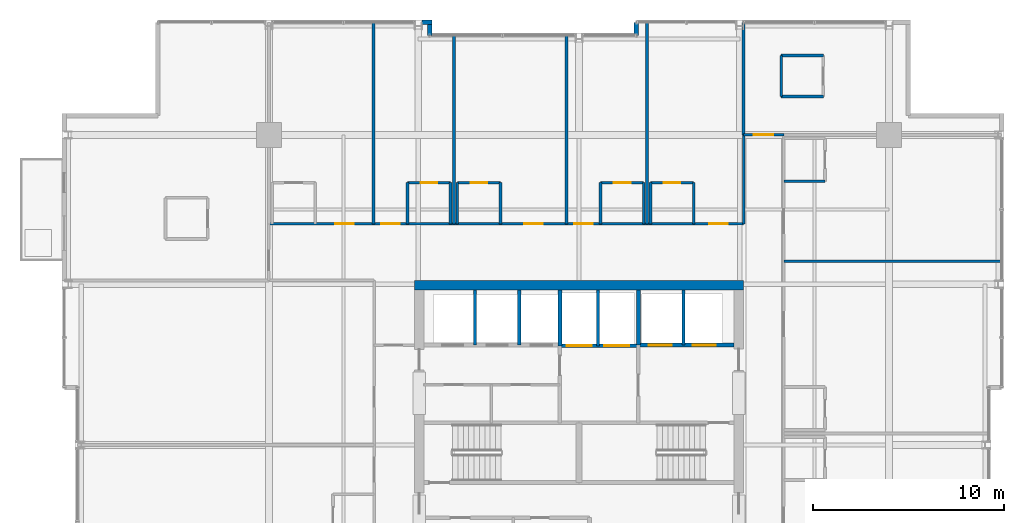
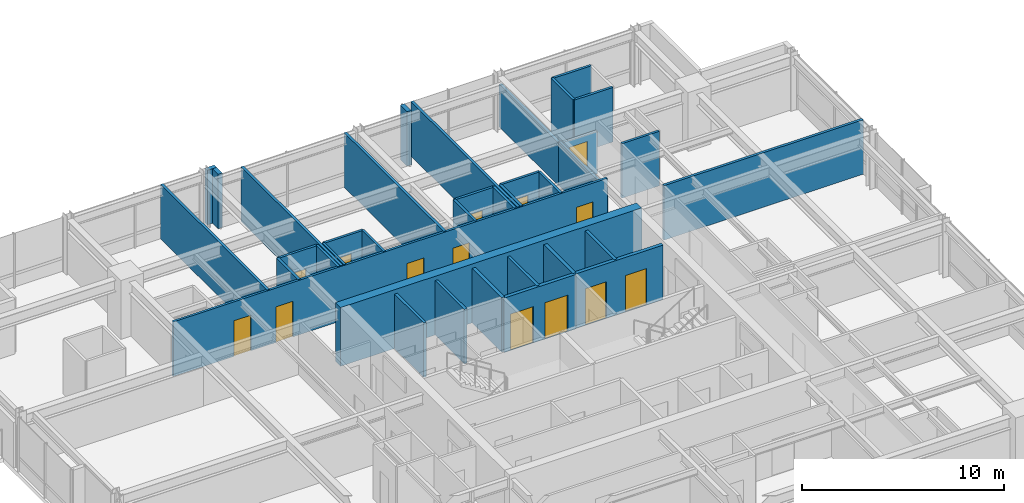
# One storey, part 28 of 31: 37 walls, 14 doors, 14 openings.
"""IFC4 building model written with IfcOpenShell, lengths in metres."""

from ifc_helpers import new_model, si_unit, direction, frame, frame_2d, origin, place, context, subcontext, project, spatial, rectangle, extrude, material, layer, layer_set, type_object, element, fill, save


model = new_model("IFC4")

# Units and contexts
model_context = context("Model", 3, precision=1e-05, world=origin(), true_north=direction((0.0, 1.0)))
body_context = subcontext(model_context, "Body", "Model", "MODEL_VIEW")
ifc_project = project(units=[si_unit("LENGTHUNIT", "METRE"), si_unit("AREAUNIT", "SQUARE_METRE"), si_unit("VOLUMEUNIT", "CUBIC_METRE"), si_unit("PLANEANGLEUNIT", "RADIAN"), si_unit("MASSUNIT", "GRAM", prefix="KILO")], contexts=[model_context])

# Site, building, storey
site_placement = place(None, origin())
site = spatial("IfcSite", under=ifc_project, at=site_placement, CompositionType="ELEMENT")
building_placement = place(site_placement, origin())
building = spatial("IfcBuilding", under=site, at=building_placement, Name="Drelvath Grand Hotel", CompositionType="ELEMENT")
storey_placement = place(building_placement, frame((0.0, 0.0, 185.89990234375)))
storey = spatial("IfcBuildingStorey", under=building, at=storey_placement, Name="L48", CompositionType="ELEMENT", Elevation=185.89990234375)

# Wall, openings, doors
ifc_material_1 = material(Name="Concrete C40/50", Category="concrete")
ifc_layer_1 = layer(ifc_material_1, 0.199951171875)
ifc_layer_set_1 = layer_set([ifc_layer_1], Name="Concrete C40/50")
wall_type_1 = type_object("IfcWallType", Name="Core Hoistway Fire Wall 200", PredefinedType="SOLIDWALL", material=ifc_layer_set_1)
wall_1_placement = place(storey_placement, frame((3.10009765625, 32.219970703125, 0.0), z_axis=(0.0, 0.0, 1.0), x_axis=(1.0, 0.0, 0.0)))
wall_1 = element("IfcWall", 1, at=wall_1_placement, inside=storey, type_object=wall_type_1, Name="L48 FSAE Hoistway Front Wall", PredefinedType="SOLIDWALL", context=body_context, shape_type="SweptSolid", body=[
    extrude(rectangle(XDim=5.0, YDim=0.199951171875, at=frame_2d((2.5, 0.0))), origin(), (0.0, 0.0, 1.0), 3.2900390625),
])
opening_1_placement = place(wall_1_placement, frame((0.550048828125, 0.0, 0.0)))
opening_1 = element("IfcOpeningElement", 2, at=opening_1_placement, cuts=wall_1, Name="Opening LD-FSAE-1", PredefinedType="OPENING", context=body_context, shape_type="SweptSolid", body=[
    extrude(rectangle(XDim=1.199951171875, YDim=2.199951171875, at=frame_2d((0.60009765625, 1.10009765625))), frame((0.0, 0.10986328125, 0.0), z_axis=(0.0, -1.0, 0.0), x_axis=(1.0, 0.0, 0.0)), (0.0, 0.0, 1.0), 0.219970703125),
])
opening_2_placement = place(wall_1_placement, frame((2.85009765625, 0.0, 0.0)))
opening_2 = element("IfcOpeningElement", 3, at=opening_2_placement, cuts=wall_1, Name="Opening LD-FSAE-2", PredefinedType="OPENING", context=body_context, shape_type="SweptSolid", body=[
    extrude(rectangle(XDim=1.199951171875, YDim=2.199951171875, at=frame_2d((0.60009765625, 1.10009765625))), frame((0.0, 0.10986328125, 0.0), z_axis=(0.0, -1.0, 0.0), x_axis=(1.0, 0.0, 0.0)), (0.0, 0.0, 1.0), 0.219970703125),
])
ifc_material_2 = material(Name="Stainless Steel S355", Category="steel")
door_type_1 = type_object("IfcDoorType", Name="FSAE Lift Sliding Landing Door 1200x2200", OperationType="NOTDEFINED", PredefinedType="DOOR", material=ifc_material_2)
door_1_placement = place(opening_1_placement, origin())
door_1 = element("IfcDoor", 4, at=door_1_placement, inside=storey, type_object=door_type_1, Name="L48 Lift FSAE-1 Landing Door", OperationType="SLIDING_TO_LEFT", OverallHeight=2.199951171875, OverallWidth=1.199951171875, PredefinedType="DOOR", context=body_context, shape_type="SweptSolid", body=[
    extrude(rectangle(XDim=1.199951171875, YDim=2.199951171875, at=frame_2d((0.60009765625, 1.10009765625))), frame((0.0, 0.02490234375, 0.0), z_axis=(0.0, -1.0, 0.0), x_axis=(1.0, 0.0, 0.0)), (0.0, 0.0, 1.0), 0.050048828125),
])
fill(opening_1, door_1)
door_2_placement = place(opening_2_placement, origin())
door_2 = element("IfcDoor", 5, at=door_2_placement, inside=storey, type_object=door_type_1, Name="L48 Lift FSAE-2 Landing Door", OperationType="SLIDING_TO_LEFT", OverallHeight=2.199951171875, OverallWidth=1.199951171875, PredefinedType="DOOR", context=body_context, shape_type="SweptSolid", body=[
    extrude(rectangle(XDim=1.199951171875, YDim=2.199951171875, at=frame_2d((0.60009765625, 1.10009765625))), frame((0.0, 0.02490234375, 0.0), z_axis=(0.0, -1.0, 0.0), x_axis=(1.0, 0.0, 0.0)), (0.0, 0.0, 1.0), 0.050048828125),
])
fill(opening_2, door_2)

# Wall
wall_2_placement = place(storey_placement, frame((3.10009765625, 32.219970703125, 0.0), z_axis=(0.0, 0.0, 1.0), x_axis=(0.0, 1.0, 0.0)))
element("IfcWall", 6, at=wall_2_placement, inside=storey, type_object=wall_type_1, Name="L48 FSAE Hoistway West Wall", PredefinedType="SOLIDWALL", context=body_context, shape_type="SweptSolid", body=[
    extrude(rectangle(XDim=2.880126953125, YDim=0.199951171875, at=frame_2d((1.43994140625, 0.0))), origin(), (0.0, 0.0, 1.0), 3.2900390625),
])

# Wall, openings, doors
wall_3_placement = place(storey_placement, frame((-1.0, 32.179931640625, 0.0), z_axis=(0.0, 0.0, 1.0), x_axis=(1.0, 0.0, 0.0)))
wall_3 = element("IfcWall", 7, at=wall_3_placement, inside=storey, type_object=wall_type_1, Name="L48 Service Lift Hoistway Wall", PredefinedType="SOLIDWALL", context=body_context, shape_type="SweptSolid", body=[
    extrude(rectangle(XDim=4.10009765625, YDim=0.199951171875, at=frame_2d((2.050048828125, 0.0))), origin(), (0.0, 0.0, 1.0), 3.2900390625),
])
opening_3_placement = place(wall_3_placement, frame((0.3701171875, 0.0, 0.0)))
opening_3 = element("IfcOpeningElement", 8, at=opening_3_placement, cuts=wall_3, Name="Opening LD-SV-2", PredefinedType="OPENING", context=body_context, shape_type="SweptSolid", body=[
    extrude(rectangle(XDim=1.300048828125, YDim=2.199951171875, at=frame_2d((0.64990234375, 1.10009765625))), frame((0.0, 0.10986328125, 0.0), z_axis=(0.0, -1.0, 0.0), x_axis=(1.0, 0.0, 0.0)), (0.0, 0.0, 1.0), 0.219970703125),
])
opening_4_placement = place(wall_3_placement, frame((2.330078125, 0.0, 0.0)))
opening_4 = element("IfcOpeningElement", 9, at=opening_4_placement, cuts=wall_3, Name="Opening LD-SV-1", PredefinedType="OPENING", context=body_context, shape_type="SweptSolid", body=[
    extrude(rectangle(XDim=1.300048828125, YDim=2.199951171875, at=frame_2d((0.64990234375, 1.10009765625))), frame((0.0, 0.10986328125, 0.0), z_axis=(0.0, -1.0, 0.0), x_axis=(1.0, 0.0, 0.0)), (0.0, 0.0, 1.0), 0.219970703125),
])
door_type_2 = type_object("IfcDoorType", Name="Service Lift Sliding Landing Door 1300x2200", OperationType="NOTDEFINED", PredefinedType="DOOR", material=ifc_material_2)
door_3_placement = place(opening_3_placement, origin())
door_3 = element("IfcDoor", 10, at=door_3_placement, inside=storey, type_object=door_type_2, Name="L48 Lift SV-2 Landing Door", OperationType="SLIDING_TO_LEFT", OverallHeight=2.199951171875, OverallWidth=1.300048828125, PredefinedType="DOOR", context=body_context, shape_type="SweptSolid", body=[
    extrude(rectangle(XDim=1.300048828125, YDim=2.199951171875, at=frame_2d((0.64990234375, 1.10009765625))), frame((0.0, 0.02490234375, 0.0), z_axis=(0.0, -1.0, 0.0), x_axis=(1.0, 0.0, 0.0)), (0.0, 0.0, 1.0), 0.050048828125),
])
fill(opening_3, door_3)
door_4_placement = place(opening_4_placement, origin())
door_4 = element("IfcDoor", 11, at=door_4_placement, inside=storey, type_object=door_type_2, Name="L48 Lift SV-1 Landing Door", OperationType="SLIDING_TO_LEFT", OverallHeight=2.199951171875, OverallWidth=1.300048828125, PredefinedType="DOOR", context=body_context, shape_type="SweptSolid", body=[
    extrude(rectangle(XDim=1.300048828125, YDim=2.199951171875, at=frame_2d((0.64990234375, 1.10009765625))), frame((0.0, 0.02490234375, 0.0), z_axis=(0.0, -1.0, 0.0), x_axis=(1.0, 0.0, 0.0)), (0.0, 0.0, 1.0), 0.050048828125),
])
fill(opening_4, door_4)

# Walls
wall_4_placement = place(storey_placement, frame((-1.0, 32.179931640625, 0.0), z_axis=(0.0, 0.0, 1.0), x_axis=(0.0, 1.0, 0.0)))
element("IfcWall", 12, at=wall_4_placement, inside=storey, type_object=wall_type_1, Name="L48 Service Lift West Wall", PredefinedType="SOLIDWALL", context=body_context, shape_type="SweptSolid", body=[
    extrude(rectangle(XDim=2.920166015625, YDim=0.199951171875, at=frame_2d((1.4599609375, 0.0))), origin(), (0.0, 0.0, 1.0), 3.2900390625),
])
ifc_material_3 = material(Name="Gypsum Fireboard Partition")
ifc_layer_2 = layer(ifc_material_3, 0.1650390625)
ifc_layer_set_2 = layer_set([ifc_layer_2], Name="Gypsum Fireboard Partition")
wall_type_2 = type_object("IfcWallType", Name="Core Shaft Partition 165", PredefinedType="PARTITIONING", material=ifc_layer_set_2)
wall_5_placement = place(storey_placement, frame((5.449951171875, 32.219970703125, 0.0), z_axis=(0.0, 0.0, 1.0), x_axis=(0.0, 1.0, 0.0)))
element("IfcWall", 13, at=wall_5_placement, inside=storey, type_object=wall_type_2, Name="L48 FSAE Hoistway Divider", PredefinedType="PARTITIONING", context=body_context, shape_type="SweptSolid", body=[
    extrude(rectangle(XDim=2.880126953125, YDim=0.1650390625, at=frame_2d((1.43994140625, 0.0))), origin(), (0.0, 0.0, 1.0), 3.2900390625),
])
wall_6_placement = place(storey_placement, frame((1.0, 32.179931640625, 0.0), z_axis=(0.0, 0.0, 1.0), x_axis=(0.0, 1.0, 0.0)))
element("IfcWall", 14, at=wall_6_placement, inside=storey, type_object=wall_type_2, Name="L48 Service Lift Divider", PredefinedType="PARTITIONING", context=body_context, shape_type="SweptSolid", body=[
    extrude(rectangle(XDim=2.920166015625, YDim=0.1650390625, at=frame_2d((1.4599609375, 0.0))), origin(), (0.0, 0.0, 1.0), 3.2900390625),
])
for number, where, z_axis, x_axis, name in (
    (15, (-5.43994140625, 32.219970703125, 0.0), (0.0, 0.0, 1.0), (0.0, 1.0, 0.0), "L48 Lift PE-7/8 Divider"),
    (16, (-3.1201171875, 32.219970703125, 0.0), (0.0, 0.0, 1.0), (0.0, 1.0, 0.0), "L48 Lift PE-8/9 Divider"),
):
    element("IfcWall", number, at=place(storey_placement, frame(where, z_axis=z_axis, x_axis=x_axis)), inside=storey, type_object=wall_type_2, Name=name, PredefinedType="PARTITIONING", context=body_context, shape_type="SweptSolid", body=[
        extrude(rectangle(XDim=2.880126953125, YDim=0.1650390625, at=frame_2d((1.43994140625, 0.0))), origin(), (0.0, 0.0, 1.0), 3.2900390625),
    ])
ifc_layer_3 = layer(ifc_material_3, 0.135009765625)
ifc_layer_set_3 = layer_set([ifc_layer_3], Name="Gypsum Fireboard Partition")
wall_type_3 = type_object("IfcWallType", Name="Corridor Fire Barrier Wall 135", PredefinedType="PARTITIONING", material=ifc_layer_set_3)
wall_7_placement = place(storey_placement, frame((8.60009765625, 38.550048828125, 0.0), z_axis=(0.0, 0.0, 1.0), x_axis=(0.0, 1.0, 0.0)))
element("IfcWall", 17, at=wall_7_placement, inside=storey, type_object=wall_type_3, Name="L48 East Spine North Inner Wall", PredefinedType="PARTITIONING", context=body_context, shape_type="SweptSolid", body=[
    extrude(rectangle(XDim=4.64990234375, YDim=0.135009765625, at=frame_2d((2.324951171875, 0.0))), origin(), (0.0, 0.0, 1.0), 2.66748046875),
])

# Wall, openings, doors
wall_8_placement = place(storey_placement, frame((-16.199951171875, 38.550048828125, 0.0), z_axis=(0.0, 0.0, 1.0), x_axis=(1.0, 0.0, 0.0)))
wall_8 = element("IfcWall", 18, at=wall_8_placement, inside=storey, type_object=wall_type_3, Name="L48 North Stub Corridor Wall", PredefinedType="PARTITIONING", context=body_context, shape_type="SweptSolid", body=[
    extrude(rectangle(XDim=24.800048828125, YDim=0.135009765625, at=frame_2d((12.39990234375, 0.0))), origin(), (0.0, 0.0, 1.0), 3.2900390625),
])
opening_5_placement = place(wall_8_placement, frame((3.46728515625, 0.0, 0.0)))
opening_5 = element("IfcOpeningElement", 19, at=opening_5_placement, cuts=wall_8, Name="Opening D-T3G4-040", PredefinedType="OPENING", context=body_context, shape_type="SweptSolid", body=[
    extrude(rectangle(XDim=0.9599609375, YDim=2.14990234375, at=frame_2d((0.47998046875, 1.074951171875))), frame((0.0, 0.077392578125, 0.0), z_axis=(0.0, -1.0, 0.0), x_axis=(1.0, 0.0, 0.0)), (0.0, 0.0, 1.0), 0.155029296875),
])
opening_6_placement = place(wall_8_placement, frame((5.87109375, 0.0, 0.0)))
opening_6 = element("IfcOpeningElement", 20, at=opening_6_placement, cuts=wall_8, Name="Opening D-T3G4-042", PredefinedType="OPENING", context=body_context, shape_type="SweptSolid", body=[
    extrude(rectangle(XDim=0.9599609375, YDim=2.14990234375, at=frame_2d((0.47998046875, 1.074951171875))), frame((0.0, 0.077392578125, 0.0), z_axis=(0.0, -1.0, 0.0), x_axis=(1.0, 0.0, 0.0)), (0.0, 0.0, 1.0), 0.155029296875),
])
opening_7_placement = place(wall_8_placement, frame((13.34521484375, 0.0, 0.0)))
opening_7 = element("IfcOpeningElement", 21, at=opening_7_placement, cuts=wall_8, Name="Opening D-T3G4-044", PredefinedType="OPENING", context=body_context, shape_type="SweptSolid", body=[
    extrude(rectangle(XDim=0.9599609375, YDim=2.14990234375, at=frame_2d((0.47998046875, 1.074951171875))), frame((0.0, 0.077392578125, 0.0), z_axis=(0.0, -1.0, 0.0), x_axis=(1.0, 0.0, 0.0)), (0.0, 0.0, 1.0), 0.155029296875),
])
opening_8_placement = place(wall_8_placement, frame((15.959228515625, 0.0, 0.0)))
opening_8 = element("IfcOpeningElement", 22, at=opening_8_placement, cuts=wall_8, Name="Opening D-T3G4-046", PredefinedType="OPENING", context=body_context, shape_type="SweptSolid", body=[
    extrude(rectangle(XDim=0.9599609375, YDim=2.14990234375, at=frame_2d((0.47998046875, 1.074951171875))), frame((0.0, 0.077392578125, 0.0), z_axis=(0.0, -1.0, 0.0), x_axis=(1.0, 0.0, 0.0)), (0.0, 0.0, 1.0), 0.155029296875),
])
opening_9_placement = place(wall_8_placement, frame((23.012939453125, 0.0, 0.0)))
opening_9 = element("IfcOpeningElement", 23, at=opening_9_placement, cuts=wall_8, Name="Opening D-T3G4-048", PredefinedType="OPENING", context=body_context, shape_type="SweptSolid", body=[
    extrude(rectangle(XDim=0.9599609375, YDim=2.14990234375, at=frame_2d((0.47998046875, 1.074951171875))), frame((0.0, 0.077392578125, 0.0), z_axis=(0.0, -1.0, 0.0), x_axis=(1.0, 0.0, 0.0)), (0.0, 0.0, 1.0), 0.155029296875),
])
ifc_material_4 = material(Name="Hardwood Walnut Timber", Category="wood")
door_type_3 = type_object("IfcDoorType", Name="Guestroom Entrance Fire Door 960x2150", OperationType="NOTDEFINED", PredefinedType="DOOR", material=ifc_material_4)
door_5_placement = place(opening_5_placement, origin())
door_5 = element("IfcDoor", 24, at=door_5_placement, inside=storey, type_object=door_type_3, Name="L48 Deluxe Guest Room Entry Door", OperationType="SINGLE_SWING_RIGHT", OverallHeight=2.14990234375, OverallWidth=0.9599609375, PredefinedType="DOOR", context=body_context, shape_type="SweptSolid", body=[
    extrude(rectangle(XDim=0.9599609375, YDim=2.14990234375, at=frame_2d((0.47998046875, 1.074951171875))), frame((0.0, 0.02490234375, 0.0), z_axis=(0.0, -1.0, 0.0), x_axis=(1.0, 0.0, 0.0)), (0.0, 0.0, 1.0), 0.050048828125),
])
fill(opening_5, door_5)
door_6_placement = place(opening_6_placement, origin())
door_6 = element("IfcDoor", 25, at=door_6_placement, inside=storey, type_object=door_type_3, Name="L48 Deluxe Guest Room Entry Door", OperationType="SINGLE_SWING_RIGHT", OverallHeight=2.14990234375, OverallWidth=0.9599609375, PredefinedType="DOOR", context=body_context, shape_type="SweptSolid", body=[
    extrude(rectangle(XDim=0.9599609375, YDim=2.14990234375, at=frame_2d((0.47998046875, 1.074951171875))), frame((0.0, 0.02490234375, 0.0), z_axis=(0.0, -1.0, 0.0), x_axis=(1.0, 0.0, 0.0)), (0.0, 0.0, 1.0), 0.050048828125),
])
fill(opening_6, door_6)
door_7_placement = place(opening_7_placement, origin())
door_7 = element("IfcDoor", 26, at=door_7_placement, inside=storey, type_object=door_type_3, Name="L48 Deluxe Guest Room Entry Door", OperationType="SINGLE_SWING_RIGHT", OverallHeight=2.14990234375, OverallWidth=0.9599609375, PredefinedType="DOOR", context=body_context, shape_type="SweptSolid", body=[
    extrude(rectangle(XDim=0.9599609375, YDim=2.14990234375, at=frame_2d((0.47998046875, 1.074951171875))), frame((0.0, 0.02490234375, 0.0), z_axis=(0.0, -1.0, 0.0), x_axis=(1.0, 0.0, 0.0)), (0.0, 0.0, 1.0), 0.050048828125),
])
fill(opening_7, door_7)
door_8_placement = place(opening_8_placement, origin())
door_8 = element("IfcDoor", 27, at=door_8_placement, inside=storey, type_object=door_type_3, Name="L48 Deluxe Guest Room Entry Door", OperationType="SINGLE_SWING_RIGHT", OverallHeight=2.14990234375, OverallWidth=0.9599609375, PredefinedType="DOOR", context=body_context, shape_type="SweptSolid", body=[
    extrude(rectangle(XDim=0.9599609375, YDim=2.14990234375, at=frame_2d((0.47998046875, 1.074951171875))), frame((0.0, 0.02490234375, 0.0), z_axis=(0.0, -1.0, 0.0), x_axis=(1.0, 0.0, 0.0)), (0.0, 0.0, 1.0), 0.050048828125),
])
fill(opening_8, door_8)
door_9_placement = place(opening_9_placement, origin())
door_9 = element("IfcDoor", 28, at=door_9_placement, inside=storey, type_object=door_type_3, Name="L48 Deluxe Guest Room Entry Door", OperationType="SINGLE_SWING_RIGHT", OverallHeight=2.14990234375, OverallWidth=0.9599609375, PredefinedType="DOOR", context=body_context, shape_type="SweptSolid", body=[
    extrude(rectangle(XDim=0.9599609375, YDim=2.14990234375, at=frame_2d((0.47998046875, 1.074951171875))), frame((0.0, 0.02490234375, 0.0), z_axis=(0.0, -1.0, 0.0), x_axis=(1.0, 0.0, 0.0)), (0.0, 0.0, 1.0), 0.050048828125),
])
fill(opening_9, door_9)

# Wall, opening, door
wall_9_placement = place(storey_placement, frame((8.60009765625, 43.199951171875, 0.0), z_axis=(0.0, 0.0, 1.0), x_axis=(1.0, 0.0, 0.0)))
wall_9 = element("IfcWall", 29, at=wall_9_placement, inside=storey, type_object=wall_type_3, Name="L48 East Spine North End", PredefinedType="PARTITIONING", context=body_context, shape_type="SweptSolid", body=[
    extrude(rectangle(XDim=2.099853515625, YDim=0.135009765625, at=frame_2d((1.0498046875, 0.0))), origin(), (0.0, 0.0, 1.0), 2.57958984375),
])
opening_10_placement = place(wall_9_placement, frame((0.52001953125, 0.0, 0.0)))
opening_10 = element("IfcOpeningElement", 30, at=opening_10_placement, cuts=wall_9, Name="Opening D-T3G4-033", PredefinedType="OPENING", context=body_context, shape_type="SweptSolid", body=[
    extrude(rectangle(XDim=1.02001953125, YDim=2.14990234375, at=frame_2d((0.510009765625, 1.074951171875))), frame((0.0, 0.077392578125, 0.0), z_axis=(0.0, -1.0, 0.0), x_axis=(1.0, 0.0, 0.0)), (0.0, 0.0, 1.0), 0.155029296875),
])
door_type_4 = type_object("IfcDoorType", Name="Amenity Meeting Fire Door 1020x2150", OperationType="NOTDEFINED", PredefinedType="DOOR", material=ifc_material_4)
door_10_placement = place(opening_10_placement, origin())
door_10 = element("IfcDoor", 31, at=door_10_placement, inside=storey, type_object=door_type_4, Name="L48 Executive Suite Entry Door", OperationType="SINGLE_SWING_LEFT", OverallHeight=2.14990234375, OverallWidth=1.02001953125, PredefinedType="DOOR", context=body_context, shape_type="SweptSolid", body=[
    extrude(rectangle(XDim=1.02001953125, YDim=2.14990234375, at=frame_2d((0.510009765625, 1.074951171875))), frame((0.0, 0.02490234375, 0.0), z_axis=(0.0, -1.0, 0.0), x_axis=(1.0, 0.0, 0.0)), (0.0, 0.0, 1.0), 0.050048828125),
])
fill(opening_10, door_10)

# Walls
ifc_material_5 = material(Name="Moisture-Resistant Gypsum Board")
ifc_layer_4 = layer(ifc_material_5, 0.139892578125)
ifc_layer_set_4 = layer_set([ifc_layer_4], Name="Moisture-Resistant Gypsum Board")
wall_type_4 = type_object("IfcWallType", Name="En-Suite Plumbing Wall 140", PredefinedType="PLUMBINGWALL", material=ifc_layer_set_4)
for number, where, z_axis, x_axis, name in (
    (32, (10.56005859375, 45.199951171875, 0.0), (0.0, 0.0, 1.0), (1.0, 0.0, 0.0), "L48 Corner En-Suite South"),
    (33, (10.56005859375, 47.35009765625, 0.0), (0.0, 0.0, 1.0), (1.0, 0.0, 0.0), "L48 Corner En-Suite North"),
):
    element("IfcWall", number, at=place(storey_placement, frame(where, z_axis=z_axis, x_axis=x_axis)), inside=storey, type_object=wall_type_4, Name=name, PredefinedType="PLUMBINGWALL", context=body_context, shape_type="SweptSolid", body=[
        extrude(rectangle(XDim=2.199951171875, YDim=0.139892578125, at=frame_2d((1.10009765625, 0.0))), origin(), (0.0, 0.0, 1.0), 3.2900390625),
    ])
wall_10_placement = place(storey_placement, frame((10.56005859375, 45.199951171875, 0.0), z_axis=(0.0, 0.0, 1.0), x_axis=(0.0, 1.0, 0.0)))
element("IfcWall", 34, at=wall_10_placement, inside=storey, type_object=wall_type_4, Name="L48 Corner En-Suite West", PredefinedType="PLUMBINGWALL", context=body_context, shape_type="SweptSolid", body=[
    extrude(rectangle(XDim=2.150146484375, YDim=0.139892578125, at=frame_2d((1.0751953125, 0.0))), origin(), (0.0, 0.0, 1.0), 3.2900390625),
])
for number, where, z_axis, x_axis, name in (
    (35, (-8.962158203125, 38.550048828125, 0.0), (0.0, 0.0, 1.0), (0.0, 1.0, 0.0), "L48 En-Suite Left Wall"),
    (36, (-6.712158203125, 38.550048828125, 0.0), (0.0, 0.0, 1.0), (0.0, 1.0, 0.0), "L48 En-Suite Right Wall"),
):
    element("IfcWall", number, at=place(storey_placement, frame(where, z_axis=z_axis, x_axis=x_axis)), inside=storey, type_object=wall_type_4, Name=name, PredefinedType="PLUMBINGWALL", context=body_context, shape_type="SweptSolid", body=[
        extrude(rectangle(XDim=2.14990234375, YDim=0.139892578125, at=frame_2d((1.074951171875, 0.0))), origin(), (0.0, 0.0, 1.0), 3.2900390625),
    ])

# Wall, opening, door
wall_11_placement = place(storey_placement, frame((-8.962158203125, 40.699951171875, 0.0), z_axis=(0.0, 0.0, 1.0), x_axis=(1.0, 0.0, 0.0)))
wall_11 = element("IfcWall", 37, at=wall_11_placement, inside=storey, type_object=wall_type_4, Name="L48 En-Suite Front Wall", PredefinedType="PLUMBINGWALL", context=body_context, shape_type="SweptSolid", body=[
    extrude(rectangle(XDim=2.25, YDim=0.139892578125, at=frame_2d((1.125, 0.0))), origin(), (0.0, 0.0, 1.0), 3.2900390625),
])
opening_11_placement = place(wall_11_placement, frame((0.68505859375, 0.0, 0.0)))
opening_11 = element("IfcOpeningElement", 38, at=opening_11_placement, cuts=wall_11, Name="Opening D-T3G4-041", PredefinedType="OPENING", context=body_context, shape_type="SweptSolid", body=[
    extrude(rectangle(XDim=0.8798828125, YDim=2.10009765625, at=frame_2d((0.43994140625, 1.050048828125))), frame((0.0, 0.079833984375, 0.0), z_axis=(0.0, -1.0, 0.0), x_axis=(1.0, 0.0, 0.0)), (0.0, 0.0, 1.0), 0.159912109375),
])
door_type_5 = type_object("IfcDoorType", Name="En-Suite Bathroom Door 880x2100", OperationType="NOTDEFINED", PredefinedType="DOOR", material=ifc_material_4)
door_11_placement = place(opening_11_placement, origin())
door_11 = element("IfcDoor", 39, at=door_11_placement, inside=storey, type_object=door_type_5, Name="L48 En-Suite Bathroom Door", OperationType="SINGLE_SWING_LEFT", OverallHeight=2.10009765625, OverallWidth=0.8798828125, PredefinedType="DOOR", context=body_context, shape_type="SweptSolid", body=[
    extrude(rectangle(XDim=0.8798828125, YDim=2.10009765625, at=frame_2d((0.43994140625, 1.050048828125))), frame((0.0, 0.02490234375, 0.0), z_axis=(0.0, -1.0, 0.0), x_axis=(1.0, 0.0, 0.0)), (0.0, 0.0, 1.0), 0.050048828125),
])
fill(opening_11, door_11)

# Walls
for number, where, z_axis, x_axis, name in (
    (40, (-6.352294921875, 38.550048828125, 0.0), (0.0, 0.0, 1.0), (0.0, 1.0, 0.0), "L48 En-Suite Left Wall"),
    (41, (-4.102294921875, 38.550048828125, 0.0), (0.0, 0.0, 1.0), (0.0, 1.0, 0.0), "L48 En-Suite Right Wall"),
):
    element("IfcWall", number, at=place(storey_placement, frame(where, z_axis=z_axis, x_axis=x_axis)), inside=storey, type_object=wall_type_4, Name=name, PredefinedType="PLUMBINGWALL", context=body_context, shape_type="SweptSolid", body=[
        extrude(rectangle(XDim=2.14990234375, YDim=0.139892578125, at=frame_2d((1.074951171875, 0.0))), origin(), (0.0, 0.0, 1.0), 3.2900390625),
    ])

# Wall, opening, door
wall_12_placement = place(storey_placement, frame((-6.352294921875, 40.699951171875, 0.0), z_axis=(0.0, 0.0, 1.0), x_axis=(1.0, 0.0, 0.0)))
wall_12 = element("IfcWall", 42, at=wall_12_placement, inside=storey, type_object=wall_type_4, Name="L48 En-Suite Front Wall", PredefinedType="PLUMBINGWALL", context=body_context, shape_type="SweptSolid", body=[
    extrude(rectangle(XDim=2.25, YDim=0.139892578125, at=frame_2d((1.125, 0.0))), origin(), (0.0, 0.0, 1.0), 3.2900390625),
])
opening_12_placement = place(wall_12_placement, frame((0.68505859375, 0.0, 0.0)))
opening_12 = element("IfcOpeningElement", 43, at=opening_12_placement, cuts=wall_12, Name="Opening D-T3G4-043", PredefinedType="OPENING", context=body_context, shape_type="SweptSolid", body=[
    extrude(rectangle(XDim=0.8798828125, YDim=2.10009765625, at=frame_2d((0.43994140625, 1.050048828125))), frame((0.0, 0.079833984375, 0.0), z_axis=(0.0, -1.0, 0.0), x_axis=(1.0, 0.0, 0.0)), (0.0, 0.0, 1.0), 0.159912109375),
])
door_12_placement = place(opening_12_placement, origin())
door_12 = element("IfcDoor", 44, at=door_12_placement, inside=storey, type_object=door_type_5, Name="L48 En-Suite Bathroom Door", OperationType="SINGLE_SWING_LEFT", OverallHeight=2.10009765625, OverallWidth=0.8798828125, PredefinedType="DOOR", context=body_context, shape_type="SweptSolid", body=[
    extrude(rectangle(XDim=0.8798828125, YDim=2.10009765625, at=frame_2d((0.43994140625, 1.050048828125))), frame((0.0, 0.02490234375, 0.0), z_axis=(0.0, -1.0, 0.0), x_axis=(1.0, 0.0, 0.0)), (0.0, 0.0, 1.0), 0.050048828125),
])
fill(opening_12, door_12)

# Walls
for number, where, z_axis, x_axis, name in (
    (45, (1.1259765625, 38.550048828125, 0.0), (0.0, 0.0, 1.0), (0.0, 1.0, 0.0), "L48 En-Suite Left Wall"),
    (46, (3.3759765625, 38.550048828125, 0.0), (0.0, 0.0, 1.0), (0.0, 1.0, 0.0), "L48 En-Suite Right Wall"),
):
    element("IfcWall", number, at=place(storey_placement, frame(where, z_axis=z_axis, x_axis=x_axis)), inside=storey, type_object=wall_type_4, Name=name, PredefinedType="PLUMBINGWALL", context=body_context, shape_type="SweptSolid", body=[
        extrude(rectangle(XDim=2.14990234375, YDim=0.139892578125, at=frame_2d((1.074951171875, 0.0))), origin(), (0.0, 0.0, 1.0), 3.2900390625),
    ])

# Wall, opening, door
wall_13_placement = place(storey_placement, frame((1.1259765625, 40.699951171875, 0.0), z_axis=(0.0, 0.0, 1.0), x_axis=(1.0, 0.0, 0.0)))
wall_13 = element("IfcWall", 47, at=wall_13_placement, inside=storey, type_object=wall_type_4, Name="L48 En-Suite Front Wall", PredefinedType="PLUMBINGWALL", context=body_context, shape_type="SweptSolid", body=[
    extrude(rectangle(XDim=2.25, YDim=0.139892578125, at=frame_2d((1.125, 0.0))), origin(), (0.0, 0.0, 1.0), 3.2900390625),
])
opening_13_placement = place(wall_13_placement, frame((0.68505859375, 0.0, 0.0)))
opening_13 = element("IfcOpeningElement", 48, at=opening_13_placement, cuts=wall_13, Name="Opening D-T3G4-045", PredefinedType="OPENING", context=body_context, shape_type="SweptSolid", body=[
    extrude(rectangle(XDim=0.8798828125, YDim=2.10009765625, at=frame_2d((0.43994140625, 1.050048828125))), frame((0.0, 0.079833984375, 0.0), z_axis=(0.0, -1.0, 0.0), x_axis=(1.0, 0.0, 0.0)), (0.0, 0.0, 1.0), 0.159912109375),
])
door_13_placement = place(opening_13_placement, origin())
door_13 = element("IfcDoor", 49, at=door_13_placement, inside=storey, type_object=door_type_5, Name="L48 En-Suite Bathroom Door", OperationType="SINGLE_SWING_LEFT", OverallHeight=2.10009765625, OverallWidth=0.8798828125, PredefinedType="DOOR", context=body_context, shape_type="SweptSolid", body=[
    extrude(rectangle(XDim=0.8798828125, YDim=2.10009765625, at=frame_2d((0.43994140625, 1.050048828125))), frame((0.0, 0.02490234375, 0.0), z_axis=(0.0, -1.0, 0.0), x_axis=(1.0, 0.0, 0.0)), (0.0, 0.0, 1.0), 0.050048828125),
])
fill(opening_13, door_13)

# Walls
for number, where, z_axis, x_axis, name in (
    (50, (3.73583984375, 38.550048828125, 0.0), (0.0, 0.0, 1.0), (0.0, 1.0, 0.0), "L48 En-Suite Left Wall"),
    (51, (5.98583984375, 38.550048828125, 0.0), (0.0, 0.0, 1.0), (0.0, 1.0, 0.0), "L48 En-Suite Right Wall"),
):
    element("IfcWall", number, at=place(storey_placement, frame(where, z_axis=z_axis, x_axis=x_axis)), inside=storey, type_object=wall_type_4, Name=name, PredefinedType="PLUMBINGWALL", context=body_context, shape_type="SweptSolid", body=[
        extrude(rectangle(XDim=2.14990234375, YDim=0.139892578125, at=frame_2d((1.074951171875, 0.0))), origin(), (0.0, 0.0, 1.0), 3.2900390625),
    ])

# Wall, opening, door
wall_14_placement = place(storey_placement, frame((3.73583984375, 40.699951171875, 0.0), z_axis=(0.0, 0.0, 1.0), x_axis=(1.0, 0.0, 0.0)))
wall_14 = element("IfcWall", 52, at=wall_14_placement, inside=storey, type_object=wall_type_4, Name="L48 En-Suite Front Wall", PredefinedType="PLUMBINGWALL", context=body_context, shape_type="SweptSolid", body=[
    extrude(rectangle(XDim=2.25, YDim=0.139892578125, at=frame_2d((1.125, 0.0))), origin(), (0.0, 0.0, 1.0), 3.2900390625),
])
opening_14_placement = place(wall_14_placement, frame((0.68505859375, 0.0, 0.0)))
opening_14 = element("IfcOpeningElement", 53, at=opening_14_placement, cuts=wall_14, Name="Opening D-T3G4-047", PredefinedType="OPENING", context=body_context, shape_type="SweptSolid", body=[
    extrude(rectangle(XDim=0.8798828125, YDim=2.10009765625, at=frame_2d((0.43994140625, 1.050048828125))), frame((0.0, 0.079833984375, 0.0), z_axis=(0.0, -1.0, 0.0), x_axis=(1.0, 0.0, 0.0)), (0.0, 0.0, 1.0), 0.159912109375),
])
door_14_placement = place(opening_14_placement, origin())
door_14 = element("IfcDoor", 54, at=door_14_placement, inside=storey, type_object=door_type_5, Name="L48 En-Suite Bathroom Door", OperationType="SINGLE_SWING_LEFT", OverallHeight=2.10009765625, OverallWidth=0.8798828125, PredefinedType="DOOR", context=body_context, shape_type="SweptSolid", body=[
    extrude(rectangle(XDim=0.8798828125, YDim=2.10009765625, at=frame_2d((0.43994140625, 1.050048828125))), frame((0.0, 0.02490234375, 0.0), z_axis=(0.0, -1.0, 0.0), x_axis=(1.0, 0.0, 0.0)), (0.0, 0.0, 1.0), 0.050048828125),
])
fill(opening_14, door_14)

# Walls
wall_15_placement = place(storey_placement, frame((10.699951171875, 40.77001953125, 0.0), z_axis=(0.0, 0.0, 1.0), x_axis=(1.0, 0.0, 0.0)))
element("IfcWall", 55, at=wall_15_placement, inside=storey, type_object=wall_type_4, Name="L48 En-Suite Left Wall", PredefinedType="PLUMBINGWALL", context=body_context, shape_type="SweptSolid", body=[
    extrude(rectangle(XDim=2.150146484375, YDim=0.139892578125, at=frame_2d((1.0751953125, 0.0))), origin(), (0.0, 0.0, 1.0), 3.2900390625),
])
ifc_material_6 = material(Name="Gypsum Acoustic Partition")
ifc_layer_5 = layer(ifc_material_6, 0.14990234375)
ifc_layer_set_5 = layer_set([ifc_layer_5], Name="Gypsum Acoustic Partition")
wall_type_5 = type_object("IfcWallType", Name="Guestroom Demising Wall 150", PredefinedType="PARTITIONING", material=ifc_layer_set_5)
wall_16_placement = place(storey_placement, frame((-10.735595703125, 38.550048828125, 0.0), z_axis=(0.0, 0.0, 1.0), x_axis=(0.0, 1.0, 0.0)))
element("IfcWall", 56, at=wall_16_placement, inside=storey, type_object=wall_type_5, Name="L48 North Demising 1", PredefinedType="PARTITIONING", context=body_context, shape_type="SweptSolid", body=[
    extrude(rectangle(XDim=10.530029296875, YDim=0.14990234375, at=frame_2d((5.26513671875, 0.0))), origin(), (0.0, 0.0, 1.0), 3.2900390625),
])
for number, where, z_axis, x_axis, name in (
    (57, (-6.5322265625, 38.550048828125, 0.0), (0.0, 0.0, 1.0), (0.0, 1.0, 0.0), "L48 North Demising 2"),
    (58, (-0.6474609375, 38.550048828125, 0.0), (0.0, 0.0, 1.0), (0.0, 1.0, 0.0), "L48 North Demising 3"),
):
    element("IfcWall", number, at=place(storey_placement, frame(where, z_axis=z_axis, x_axis=x_axis)), inside=storey, type_object=wall_type_5, Name=name, PredefinedType="PARTITIONING", context=body_context, shape_type="SweptSolid", body=[
        extrude(rectangle(XDim=9.849853515625, YDim=0.14990234375, at=frame_2d((4.9248046875, 0.0))), origin(), (0.0, 0.0, 1.0), 3.2900390625),
    ])
wall_17_placement = place(storey_placement, frame((3.555908203125, 38.550048828125, 0.0), z_axis=(0.0, 0.0, 1.0), x_axis=(0.0, 1.0, 0.0)))
element("IfcWall", 59, at=wall_17_placement, inside=storey, type_object=wall_type_5, Name="L48 North Demising 4", PredefinedType="PARTITIONING", context=body_context, shape_type="SweptSolid", body=[
    extrude(rectangle(XDim=10.530029296875, YDim=0.14990234375, at=frame_2d((5.26513671875, 0.0))), origin(), (0.0, 0.0, 1.0), 3.2900390625),
])
wall_18_placement = place(storey_placement, frame((10.699951171875, 36.60009765625, 0.0), z_axis=(0.0, 0.0, 1.0), x_axis=(1.0, 0.0, 0.0)))
element("IfcWall", 60, at=wall_18_placement, inside=storey, type_object=wall_type_5, Name="L48 East Demising 3", PredefinedType="PARTITIONING", context=body_context, shape_type="SweptSolid", body=[
    extrude(rectangle(XDim=11.380126953125, YDim=0.14990234375, at=frame_2d((5.68994140625, 0.0))), origin(), (0.0, 0.0, 1.0), 3.2900390625),
])
ifc_layer_6 = layer(ifc_material_6, 0.1650390625)
ifc_layer_set_6 = layer_set([ifc_layer_6], Name="Gypsum Acoustic Partition")
wall_type_6 = type_object("IfcWallType", Name="Suite Demising Wall 165", PredefinedType="PARTITIONING", material=ifc_layer_set_6)
wall_19_placement = place(storey_placement, frame((8.60009765625, 43.199951171875, 0.0), z_axis=(0.0, 0.0, 1.0), x_axis=(0.0, 1.0, 0.0)))
element("IfcWall", 61, at=wall_19_placement, inside=storey, type_object=wall_type_6, Name="L48 NE Suite West Wall", PredefinedType="PARTITIONING", context=body_context, shape_type="SweptSolid", body=[
    extrude(rectangle(XDim=5.880126953125, YDim=0.1650390625, at=frame_2d((2.93994140625, 0.0))), origin(), (0.0, 0.0, 1.0), 2.57958984375),
])
ifc_material_7 = material(Name="Pale-Metal Insulated Aluminium Spandrel Assembly", Category="aluminium")
ifc_layer_7 = layer(ifc_material_7, 0.239990234375)
ifc_layer_set_7 = layer_set([ifc_layer_7], Name="Pale-Metal Insulated Aluminium Spandrel Assembly")
wall_type_7 = type_object("IfcWallType", Name="Tower Insulated Metal Spandrel Closure Wall 240", PredefinedType="STANDARD", material=ifc_layer_set_7)
wall_20_placement = place(storey_placement, frame((-8.208251953125, 49.080078125, 0.0), z_axis=(0.0, 0.0, 1.0), x_axis=(1.0, 0.0, 0.0)))
element("IfcWall", 62, at=wall_20_placement, inside=storey, type_object=wall_type_7, Name="L48 Corner Pier Spandrel Wall NW3", PredefinedType="STANDARD", context=body_context, shape_type="SweptSolid", body=[
    extrude(rectangle(XDim=0.5283203125, YDim=0.239990234375, at=frame_2d((0.26416015625, 0.0))), origin(), (0.0, 0.0, 1.0), 3.2900390625),
])
wall_21_placement = place(storey_placement, frame((-7.800048828125, 48.9599609375, 0.0), z_axis=(0.0, 0.0, 1.0), x_axis=(0.0, -1.0, 0.0)))
element("IfcWall", 63, at=wall_21_placement, inside=storey, type_object=wall_type_7, Name="L48 Notched Corner Return Spandrel Wall RN1", PredefinedType="STANDARD", context=body_context, shape_type="SweptSolid", body=[
    extrude(rectangle(XDim=0.56005859375, YDim=0.239990234375, at=frame_2d((0.280029296875, 0.0))), origin(), (0.0, 0.0, 1.0), 3.2900390625),
])
wall_22_placement = place(storey_placement, frame((3.0, 48.39990234375, 0.0), z_axis=(0.0, 0.0, 1.0), x_axis=(0.0, 1.0, 0.0)))
element("IfcWall", 64, at=wall_22_placement, inside=storey, type_object=wall_type_7, Name="L48 Notched Corner Return Spandrel Wall RN2", PredefinedType="STANDARD", context=body_context, shape_type="SweptSolid", body=[
    extrude(rectangle(XDim=0.68017578125, YDim=0.239990234375, at=frame_2d((0.340087890625, 0.0))), origin(), (0.0, 0.0, 1.0), 3.2900390625),
])
ifc_material_8 = material(Name="Concrete f'c 55 MPa", Category="concrete")
ifc_layer_8 = layer(ifc_material_8, 0.5)
ifc_layer_set_8 = layer_set([ifc_layer_8], Name="Concrete f'c 55 MPa")
wall_type_8 = type_object("IfcWallType", Name="Upper Core RC Shear Wall 500", PredefinedType="SHEAR", material=ifc_layer_set_8)
wall_23_placement = place(storey_placement, frame((-8.60009765625, 35.35009765625, 0.0), z_axis=(0.0, 0.0, 1.0), x_axis=(1.0, 0.0, 0.0)))
element("IfcWall", 65, at=wall_23_placement, inside=storey, type_object=wall_type_8, Name="L48 Central Core Shear Wall N", PredefinedType="SHEAR", context=body_context, shape_type="SweptSolid", body=[
    extrude(rectangle(XDim=17.2001953125, YDim=0.5, at=frame_2d((8.60009765625, 0.0))), origin(), (0.0, 0.0, 1.0), 3.550048828125),
])

save(model, "model.ifc")
